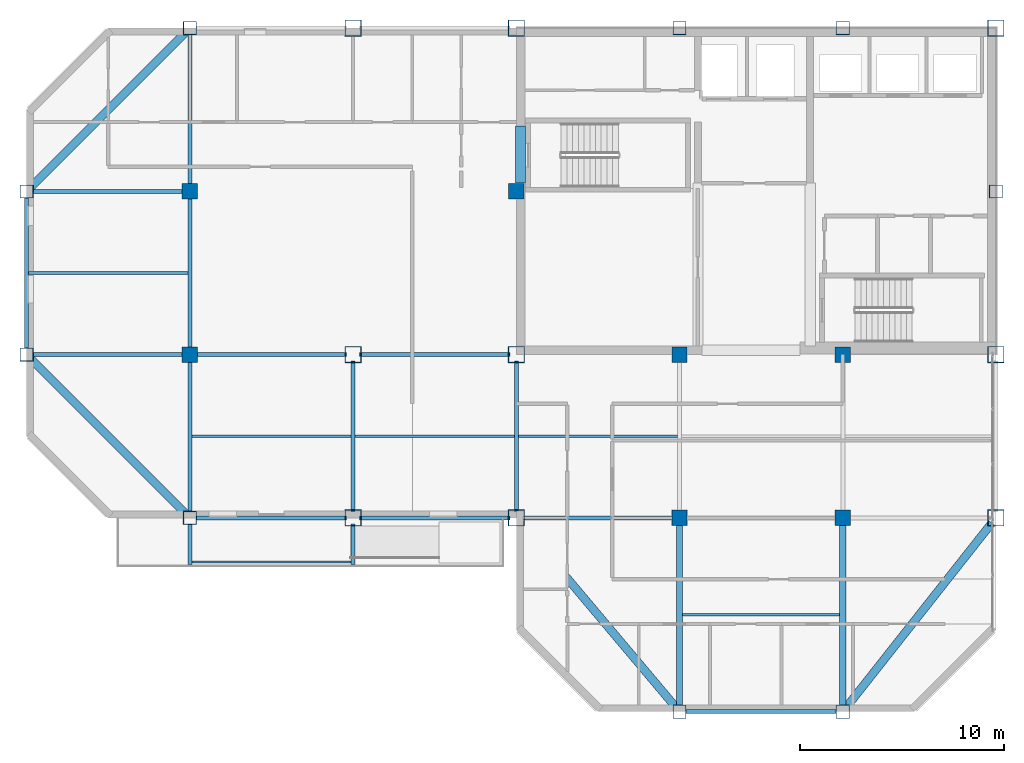
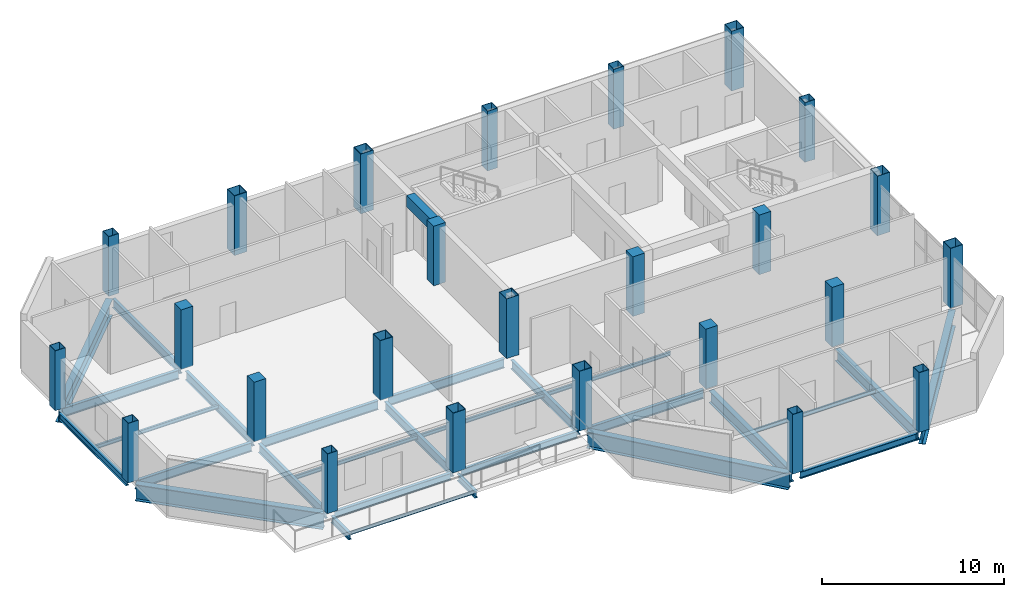
# One storey, part 1 of 13: 29 beams, 25 columns.
"""IFC4 building model written with IfcOpenShell, lengths in metres."""

from ifc_helpers import new_model, si_unit, direction, frame, origin, origin_2d, place, context, subcontext, project, spatial, rectangle, hollow_rectangle, i_section, extrude, material, material_profile, profile_set, type_object, element, save


model = new_model("IFC4")

# Units and contexts
model_context = context("Model", 3, precision=1e-05, world=origin(), true_north=direction((0.0, 1.0)))
body_context = subcontext(model_context, "Body", "Model", "MODEL_VIEW")
ifc_project = project(units=[si_unit("LENGTHUNIT", "METRE"), si_unit("AREAUNIT", "SQUARE_METRE"), si_unit("VOLUMEUNIT", "CUBIC_METRE"), si_unit("PLANEANGLEUNIT", "RADIAN"), si_unit("MASSUNIT", "GRAM", prefix="KILO")], contexts=[model_context])

# Site, building, storey
site_placement = place(None, origin())
site = spatial("IfcSite", under=ifc_project, at=site_placement, CompositionType="ELEMENT")
building_placement = place(site_placement, origin())
building = spatial("IfcBuilding", under=site, at=building_placement, Name="Qianrong Seaharbour Tower", CompositionType="ELEMENT")
storey_placement = place(building_placement, frame((0.0, 0.0, 291.199951171875)))
storey = spatial("IfcBuildingStorey", under=building, at=storey_placement, Name="L70", CompositionType="ELEMENT", Elevation=291.199951171875)

# Columns
ifc_material_1 = material(Name="Structural steel SN490B", Category="steel")
ifc_material_profile_1 = material_profile(ifc_material_1, hollow_rectangle(XDim=0.800048828125, YDim=0.800048828125, WallThickness=0.031982421875, at=origin_2d()), Name="BOX800x800x32")
ifc_profile_set_1 = profile_set([ifc_material_profile_1], Name="Structural steel SN490B")
column_type_1 = type_object("IfcColumnType", Name="COL-CFT-800", PredefinedType="COLUMN", material=ifc_profile_set_1)
for number, where, z_axis, x_axis, name in (
    (1, (32.5, 28.0, 0.0), (0.0, 0.0, 1.0), (1.0, 0.0, 0.0), "L70 Column MC-5 at G5/GE"),
    (2, (32.5, 36.0, 0.0), (0.0, 0.0, 1.0), (1.0, 0.0, 0.0), "L70 Column MC-5 at G5/GF"),
    (3, (32.5, 52.0, 0.0), (0.0, 0.0, 1.0), (1.0, 0.0, 0.0), "L70 Column MC-5 at G5/GH"),
    (4, (40.5, 28.0, 0.0), (0.0, 0.0, 1.0), (1.0, 0.0, 0.0), "L70 Column MC-5 at G6/GE"),
    (5, (40.5, 36.0, 0.0), (0.0, 0.0, 1.0), (1.0, 0.0, 0.0), "L70 Column MC-5 at G6/GF"),
    (6, (40.5, 52.0, 0.0), (0.0, 0.0, 1.0), (1.0, 0.0, 0.0), "L70 Column MC-5 at G6/GH"),
    (7, (64.0, 28.0, 0.0), (0.0, 0.0, 1.0), (1.0, 0.0, 0.0), "L70 Column MC-5 at G9/GE"),
    (8, (64.0, 36.0, 0.0), (0.0, 0.0, 1.0), (1.0, 0.0, 0.0), "L70 Column MC-5 at G9/GF"),
    (9, (64.0, 52.0, 0.0), (0.0, 0.0, 1.0), (1.0, 0.0, 0.0), "L70 Column MC-5 at G9/GH"),
):
    element("IfcColumn", number, at=place(storey_placement, frame(where, z_axis=z_axis, x_axis=x_axis)), inside=storey, type_object=column_type_1, Name=name, PredefinedType="COLUMN", context=body_context, shape_type="SweptSolid", body=[
        extrude(hollow_rectangle(XDim=0.800048828125, YDim=0.800048828125, WallThickness=0.031982421875, at=origin_2d()), origin(), (0.0, 0.0, 1.0), 4.0),
    ])
ifc_material_2 = material(Name="Concrete C50/60", Category="concrete")
ifc_material_profile_2 = material_profile(ifc_material_2, rectangle(XDim=0.75, YDim=0.75, at=origin_2d()), Name="RC750x750")
ifc_profile_set_2 = profile_set([ifc_material_profile_2], Name="Concrete C50/60")
column_type_2 = type_object("IfcColumnType", Name="COL-INT-RC750", PredefinedType="COLUMN", material=ifc_profile_set_2)
for number, where, z_axis, x_axis, name in (
    (10, (24.5, 36.0, 0.0), (0.0, 0.0, 1.0), (1.0, 0.0, 0.0), "L70 Column IC-4 at G4/GF"),
    (11, (24.5, 44.0, 0.0), (0.0, 0.0, 1.0), (1.0, 0.0, 0.0), "L70 Column IC-4 at G4/GG"),
    (12, (40.5, 44.0, 0.0), (0.0, 0.0, 1.0), (1.0, 0.0, 0.0), "L70 Column IC-4 at G6/GG"),
    (13, (48.5, 28.0, 0.0), (0.0, 0.0, 1.0), (1.0, 0.0, 0.0), "L70 Column IC-4 at G7/GE"),
    (14, (48.5, 36.0, 0.0), (0.0, 0.0, 1.0), (1.0, 0.0, 0.0), "L70 Column IC-4 at G7/GF"),
    (15, (56.5, 28.0, 0.0), (0.0, 0.0, 1.0), (1.0, 0.0, 0.0), "L70 Column IC-4 at G8/GE"),
    (16, (56.5, 36.0, 0.0), (0.0, 0.0, 1.0), (1.0, 0.0, 0.0), "L70 Column IC-4 at G8/GF"),
):
    element("IfcColumn", number, at=place(storey_placement, frame(where, z_axis=z_axis, x_axis=x_axis)), inside=storey, type_object=column_type_2, Name=name, PredefinedType="COLUMN", context=body_context, shape_type="SweptSolid", body=[
        extrude(rectangle(XDim=0.75, YDim=0.75, at=origin_2d()), origin(), (0.0, 0.0, 1.0), 4.0),
    ])
ifc_material_3 = material(Name="Structural steel SN400B", Category="steel")
ifc_material_profile_3 = material_profile(ifc_material_3, hollow_rectangle(XDim=0.64990234375, YDim=0.64990234375, WallThickness=0.028076171875, at=origin_2d()), Name="BOX650x650x28")
ifc_profile_set_3 = profile_set([ifc_material_profile_3], Name="Structural steel SN400B")
column_type_3 = type_object("IfcColumnType", Name="COL-PER-650", PredefinedType="COLUMN", material=ifc_profile_set_3)
for number, where, z_axis, x_axis, name in (
    (17, (16.5, 36.0, 0.0), (0.0, 0.0, 1.0), (1.0, 0.0, 0.0), "L70 Column PC-4 at G3/GF"),
    (18, (16.5, 44.0, 0.0), (0.0, 0.0, 1.0), (1.0, 0.0, 0.0), "L70 Column PC-4 at G3/GG"),
    (19, (24.5, 28.0, 0.0), (0.0, 0.0, 1.0), (1.0, 0.0, 0.0), "L70 Column PC-4 at G4/GE"),
    (20, (24.5, 52.0, 0.0), (0.0, 0.0, 1.0), (1.0, 0.0, 0.0), "L70 Column PC-4 at G4/GH"),
    (21, (48.5, 18.5, 0.0), (0.0, 0.0, 1.0), (1.0, 0.0, 0.0), "L70 Column PC-4 at G7/GD"),
    (22, (48.5, 52.0, 0.0), (0.0, 0.0, 1.0), (1.0, 0.0, 0.0), "L70 Column PC-4 at G7/GH"),
    (23, (56.5, 18.5, 0.0), (0.0, 0.0, 1.0), (1.0, 0.0, 0.0), "L70 Column PC-4 at G8/GD"),
    (24, (56.5, 52.0, 0.0), (0.0, 0.0, 1.0), (1.0, 0.0, 0.0), "L70 Column PC-4 at G8/GH"),
    (25, (64.0, 44.0, 0.0), (0.0, 0.0, 1.0), (1.0, 0.0, 0.0), "L70 Column PC-4 at G9/GG"),
):
    element("IfcColumn", number, at=place(storey_placement, frame(where, z_axis=z_axis, x_axis=x_axis)), inside=storey, type_object=column_type_3, Name=name, PredefinedType="COLUMN", context=body_context, shape_type="SweptSolid", body=[
        extrude(hollow_rectangle(XDim=0.64990234375, YDim=0.64990234375, WallThickness=0.028076171875, at=origin_2d()), origin(), (0.0, 0.0, 1.0), 4.0),
    ])

# Beams
ifc_material_profile_4 = material_profile(ifc_material_1, i_section(OverallWidth=0.199951171875, OverallDepth=0.60009765625, WebThickness=0.010986328125, FlangeThickness=0.01708984375, FilletRadius=0.02197265625, at=origin_2d()), Name="H600x200x11x17")
ifc_profile_set_4 = profile_set([ifc_material_profile_4], Name="Structural steel SN490B")
beam_type_1 = type_object("IfcBeamType", Name="BM-G-600", PredefinedType="BEAM", material=ifc_profile_set_4)
for number, where, z_axis, x_axis, name in (
    (26, (40.820068359375, 28.0, -0.514892578125), (1.0, 0.0, 0.0), (0.0, 1.0, 0.0), "L70 Primary Girder GE G6-G7"),
    (27, (16.820068359375, 36.0, -0.514892578125), (1.0, 0.0, 0.0), (0.0, 1.0, 0.0), "L70 Primary Girder GF G3-G4"),
    (28, (24.820068359375, 36.0, -0.514892578125), (1.0, 0.0, 0.0), (0.0, 1.0, 0.0), "L70 Primary Girder GF G4-G5"),
    (29, (32.820068359375, 36.0, -0.514892578125), (1.0, 0.0, 0.0), (0.0, 1.0, 0.0), "L70 Primary Girder GF G5-G6"),
    (30, (16.820068359375, 44.0, -0.514892578125), (1.0, 0.0, 0.0), (0.0, 1.0, 0.0), "L70 Primary Girder GG G3-G4"),
    (31, (24.5, 28.320068359375, -0.514892578125), (0.0, 1.0, 0.0), (-1.0, 0.0, 0.0), "L70 Primary Girder G4 GE-GF"),
    (32, (24.5, 36.320068359375, -0.514892578125), (0.0, 1.0, 0.0), (-1.0, 0.0, 0.0), "L70 Primary Girder G4 GF-GG"),
    (33, (24.5, 44.320068359375, -0.514892578125), (0.0, 1.0, 0.0), (-1.0, 0.0, 0.0), "L70 Primary Girder G4 GG-GH"),
    (34, (32.5, 28.320068359375, -0.514892578125), (0.0, 1.0, 0.0), (-1.0, 0.0, 0.0), "L70 Primary Girder G5 GE-GF"),
    (35, (40.5, 28.320068359375, -0.514892578125), (0.0, 1.0, 0.0), (-1.0, 0.0, 0.0), "L70 Primary Girder G6 GE-GF"),
):
    element("IfcBeam", number, at=place(storey_placement, frame(where, z_axis=z_axis, x_axis=x_axis)), inside=storey, type_object=beam_type_1, Name=name, PredefinedType="BEAM", context=body_context, shape_type="SweptSolid", body=[
        extrude(i_section(OverallWidth=0.199951171875, OverallDepth=0.60009765625, WebThickness=0.010986328125, FlangeThickness=0.01708984375, FilletRadius=0.02197265625, at=origin_2d()), origin(), (0.0, 0.0, 1.0), 7.35986328125),
    ])
ifc_material_profile_5 = material_profile(ifc_material_1, i_section(OverallWidth=0.300048828125, OverallDepth=0.800048828125, WebThickness=0.013916015625, FlangeThickness=0.02587890625, FilletRadius=0.028076171875, at=origin_2d()), Name="H800x300x14x26")
ifc_profile_set_5 = profile_set([ifc_material_profile_5], Name="Structural steel SN490B")
beam_type_2 = type_object("IfcBeamType", Name="BM-G-800", PredefinedType="BEAM", material=ifc_profile_set_5)
for number, where, z_axis, x_axis, name in (
    (36, (48.5, 18.820068359375, -0.614990234375), (0.0, 1.0, 0.0), (-1.0, 0.0, 0.0), "L70 Primary Girder G7 GD-GE"),
    (37, (56.5, 18.820068359375, -0.614990234375), (0.0, 1.0, 0.0), (-1.0, 0.0, 0.0), "L70 Primary Girder G8 GD-GE"),
):
    element("IfcBeam", number, at=place(storey_placement, frame(where, z_axis=z_axis, x_axis=x_axis)), inside=storey, type_object=beam_type_2, Name=name, PredefinedType="BEAM", context=body_context, shape_type="SweptSolid", body=[
        extrude(i_section(OverallWidth=0.300048828125, OverallDepth=0.800048828125, WebThickness=0.013916015625, FlangeThickness=0.02587890625, FilletRadius=0.028076171875, at=origin_2d()), origin(), (0.0, 0.0, 1.0), 8.85986328125),
    ])
ifc_material_profile_6 = material_profile(ifc_material_3, i_section(OverallWidth=0.125, OverallDepth=0.25, WebThickness=0.006103515625, FlangeThickness=0.009033203125, FilletRadius=0.011962890625, at=origin_2d()), Name="H250x125x6x9")
ifc_profile_set_6 = profile_set([ifc_material_profile_6], Name="Structural steel SN400B")
beam_type_3 = type_object("IfcBeamType", Name="BM-J-250", PredefinedType="JOIST", material=ifc_profile_set_6)
for number, where, z_axis, x_axis, name in (
    (38, (16.60009765625, 40.0, -0.33984375), (1.0, 0.0, 0.0), (0.0, 1.0, 0.0), "L70 Composite Floor Joist G3-G4/GF-GG"),
    (39, (24.60009765625, 32.0, -0.33984375), (1.0, 0.0, 0.0), (0.0, 1.0, 0.0), "L70 Composite Floor Joist G4-G5/GE-GF"),
    (40, (32.60009765625, 32.0, -0.33984375), (1.0, 0.0, 0.0), (0.0, 1.0, 0.0), "L70 Composite Floor Joist G5-G6/GE-GF"),
    (41, (40.60009765625, 32.0, -0.33984375), (1.0, 0.0, 0.0), (0.0, 1.0, 0.0), "L70 Composite Floor Joist G6-G7/GE-GF"),
):
    element("IfcBeam", number, at=place(storey_placement, frame(where, z_axis=z_axis, x_axis=x_axis)), inside=storey, type_object=beam_type_3, Name=name, PredefinedType="JOIST", context=body_context, shape_type="SweptSolid", body=[
        extrude(i_section(OverallWidth=0.125, OverallDepth=0.25, WebThickness=0.006103515625, FlangeThickness=0.009033203125, FilletRadius=0.011962890625, at=origin_2d()), origin(), (0.0, 0.0, 1.0), 7.7998046875),
    ])
beam_1_placement = place(storey_placement, frame((48.64990234375, 23.25, -0.33984375), z_axis=(1.0, 0.0, 0.0), x_axis=(0.0, 1.0, 0.0)))
element("IfcBeam", 42, at=beam_1_placement, inside=storey, type_object=beam_type_3, Name="L70 Composite Floor Joist G7-G8/GD-GE", PredefinedType="JOIST", context=body_context, shape_type="SweptSolid", body=[
    extrude(i_section(OverallWidth=0.125, OverallDepth=0.25, WebThickness=0.006103515625, FlangeThickness=0.009033203125, FilletRadius=0.011962890625, at=origin_2d()), origin(), (0.0, 0.0, 1.0), 7.7001953125),
])
ifc_material_4 = material(Name="Concrete C60/75", Category="concrete")
ifc_material_profile_7 = material_profile(ifc_material_4, rectangle(XDim=0.5, YDim=0.75, at=origin_2d()), Name="RC500x750")
ifc_profile_set_7 = profile_set([ifc_material_profile_7], Name="Concrete C60/75")
beam_type_4 = type_object("IfcBeamType", Name="BM-LINTEL-750", PredefinedType="LINTEL", material=ifc_profile_set_7)
beam_2_placement = place(storey_placement, frame((40.7099609375, 44.39990234375, 3.41015625), z_axis=(0.0, 1.0, 0.0), x_axis=(-1.0, 0.0, 0.0)))
element("IfcBeam", 43, at=beam_2_placement, inside=storey, type_object=beam_type_4, Name="L70 Core Coupling Lintel Beam West", PredefinedType="LINTEL", context=body_context, shape_type="SweptSolid", body=[
    extrude(rectangle(XDim=0.5, YDim=0.75, at=origin_2d()), origin(), (0.0, 0.0, 1.0), 2.800048828125),
])
ifc_material_profile_8 = material_profile(ifc_material_3, i_section(OverallWidth=0.10009765625, OverallDepth=0.199951171875, WebThickness=0.005615234375, FlangeThickness=0.008056640625, FilletRadius=0.010986328125, at=origin_2d()), Name="H200x100x5.5x8")
ifc_profile_set_8 = profile_set([ifc_material_profile_8], Name="Structural steel SN400B")
beam_type_5 = type_object("IfcBeamType", Name="BM-PURLIN-200", PredefinedType="JOIST", material=ifc_profile_set_8)
beam_3_placement = place(storey_placement, frame((24.60009765625, 25.840087890625, -0.31494140625), z_axis=(1.0, 0.0, 0.0), x_axis=(0.0, 1.0, 0.0)))
element("IfcBeam", 44, at=beam_3_placement, inside=storey, type_object=beam_type_5, Name="L70 Harbourfront Ribbon Edge Beam G5", PredefinedType="JOIST", context=body_context, shape_type="SweptSolid", body=[
    extrude(i_section(OverallWidth=0.10009765625, OverallDepth=0.199951171875, WebThickness=0.005615234375, FlangeThickness=0.008056640625, FilletRadius=0.010986328125, at=origin_2d()), origin(), (0.0, 0.0, 1.0), 7.7998046875),
])
ifc_material_profile_9 = material_profile(ifc_material_1, i_section(OverallWidth=0.199951171875, OverallDepth=0.449951171875, WebThickness=0.009033203125, FlangeThickness=0.013916015625, FilletRadius=0.01806640625, at=origin_2d()), Name="H450x200x9x14")
ifc_profile_set_9 = profile_set([ifc_material_profile_9], Name="Structural steel SN490B")
beam_type_6 = type_object("IfcBeamType", Name="BM-RIB-450", PredefinedType="BEAM", material=ifc_profile_set_9)
for number, where, z_axis, x_axis, name in (
    (45, (24.5, 27.699951171875, -0.43994140625), (0.0, -1.0, 0.0), (1.0, 0.0, 0.0), "L70 Harbourfront Ribbon Cantilever Bracket G4"),
    (46, (32.5, 27.699951171875, -0.43994140625), (0.0, -1.0, 0.0), (1.0, 0.0, 0.0), "L70 Harbourfront Ribbon Cantilever Bracket G5"),
):
    element("IfcBeam", number, at=place(storey_placement, frame(where, z_axis=z_axis, x_axis=x_axis)), inside=storey, type_object=beam_type_6, Name=name, PredefinedType="BEAM", context=body_context, shape_type="SweptSolid", body=[
        extrude(i_section(OverallWidth=0.199951171875, OverallDepth=0.449951171875, WebThickness=0.009033203125, FlangeThickness=0.013916015625, FilletRadius=0.01806640625, at=origin_2d()), origin(), (0.0, 0.0, 1.0), 1.97998046875),
    ])
ifc_material_profile_10 = material_profile(ifc_material_3, i_section(OverallWidth=0.199951171875, OverallDepth=0.449951171875, WebThickness=0.009033203125, FlangeThickness=0.013916015625, FilletRadius=0.01806640625, at=origin_2d()), Name="H450x200x9x14")
ifc_profile_set_10 = profile_set([ifc_material_profile_10], Name="Structural steel SN400B")
beam_type_7 = type_object("IfcBeamType", Name="BM-SP-450", PredefinedType="SPANDREL", material=ifc_profile_set_10)
for number, where, z_axis, x_axis, name in (
    (47, (48.820068359375, 18.5, -0.43994140625), (1.0, 0.0, 0.0), (0.0, 1.0, 0.0), "L70 Spandrel Girder GD G7-G8"),
    (48, (24.820068359375, 28.0, -0.43994140625), (1.0, 0.0, 0.0), (0.0, 1.0, 0.0), "L70 Spandrel Girder GE G4-G5"),
    (49, (32.820068359375, 28.0, -0.43994140625), (1.0, 0.0, 0.0), (0.0, 1.0, 0.0), "L70 Spandrel Girder GE G5-G6"),
    (50, (16.5, 36.320068359375, -0.43994140625), (0.0, 1.0, 0.0), (-1.0, 0.0, 0.0), "L70 Spandrel Girder G3 GF-GG"),
):
    element("IfcBeam", number, at=place(storey_placement, frame(where, z_axis=z_axis, x_axis=x_axis)), inside=storey, type_object=beam_type_7, Name=name, PredefinedType="SPANDREL", context=body_context, shape_type="SweptSolid", body=[
        extrude(i_section(OverallWidth=0.199951171875, OverallDepth=0.449951171875, WebThickness=0.009033203125, FlangeThickness=0.013916015625, FilletRadius=0.01806640625, at=origin_2d()), origin(), (0.0, 0.0, 1.0), 7.35986328125),
    ])
ifc_material_profile_11 = material_profile(ifc_material_1, i_section(OverallWidth=0.39990234375, OverallDepth=1.10009765625, WebThickness=0.02001953125, FlangeThickness=0.035888671875, at=origin_2d()), Name="BH1100x400x20x36")
ifc_profile_set_11 = profile_set([ifc_material_profile_11], Name="Structural steel SN490B")
beam_type_8 = type_object("IfcBeamType", Name="BM-TG-1100", PredefinedType="BEAM", material=ifc_profile_set_11)
for number, where, z_axis, x_axis, name in (
    (51, (24.273681640625, 28.226318359375, -0.764892578125), (-0.707106781187, 0.707106781187, 0.0), (-0.707106781187, -0.707106781187, 0.0), "L70 Chamfer Corner Spandrel Girder G3/GE"),
    (52, (24.273681640625, 51.773681640625, -0.764892578125), (-0.707106781187, -0.707106781187, 0.0), (0.707106781187, -0.707106781187, 0.0), "L70 Chamfer Corner Spandrel Girder G3/GH"),
):
    element("IfcBeam", number, at=place(storey_placement, frame(where, z_axis=z_axis, x_axis=x_axis)), inside=storey, type_object=beam_type_8, Name=name, PredefinedType="BEAM", context=body_context, shape_type="SweptSolid", body=[
        extrude(i_section(OverallWidth=0.39990234375, OverallDepth=1.10009765625, WebThickness=0.02001953125, FlangeThickness=0.035888671875, at=origin_2d()), origin(), (0.0, 0.0, 1.0), 10.673583984375),
    ])
beam_4_placement = place(storey_placement, frame((48.2939453125, 18.744873046875, -0.764892578125), z_axis=(-0.644151063101, 0.764898299061, 0.0), x_axis=(-0.764898299061, -0.644151063101, 0.0)))
element("IfcBeam", 53, at=beam_4_placement, inside=storey, type_object=beam_type_8, Name="L70 Chamfer Corner Spandrel Girder G6/GD", PredefinedType="BEAM", context=body_context, shape_type="SweptSolid", body=[
    extrude(i_section(OverallWidth=0.39990234375, OverallDepth=1.10009765625, WebThickness=0.02001953125, FlangeThickness=0.035888671875, at=origin_2d()), origin(), (0.0, 0.0, 1.0), 11.77978515625),
])
beam_5_placement = place(storey_placement, frame((56.6982421875, 18.751220703125, -0.764892578125), z_axis=(0.619653955715, 0.784875133487, 0.0), x_axis=(-0.784875133487, 0.619653955715, 0.0)))
element("IfcBeam", 54, at=beam_5_placement, inside=storey, type_object=beam_type_8, Name="L70 Chamfer Corner Spandrel Girder G9/GD", PredefinedType="BEAM", context=body_context, shape_type="SweptSolid", body=[
    extrude(i_section(OverallWidth=0.39990234375, OverallDepth=1.10009765625, WebThickness=0.02001953125, FlangeThickness=0.035888671875, at=origin_2d()), origin(), (0.0, 0.0, 1.0), 11.463623046875),
])

save(model, "model.ifc")
